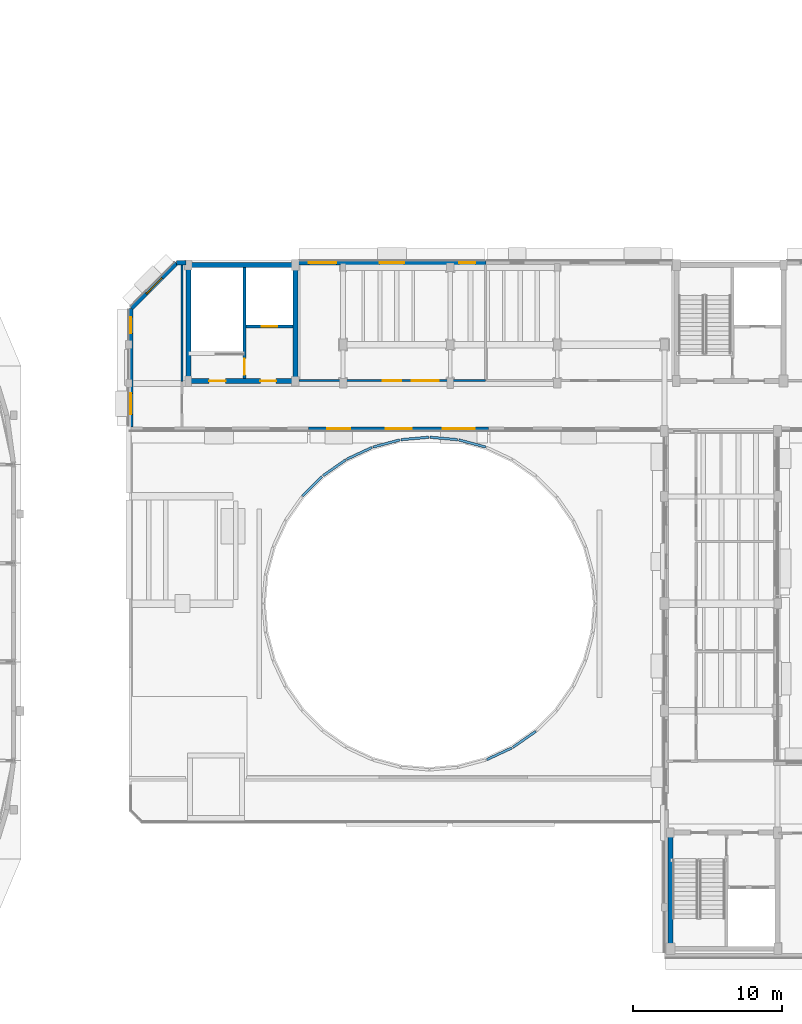
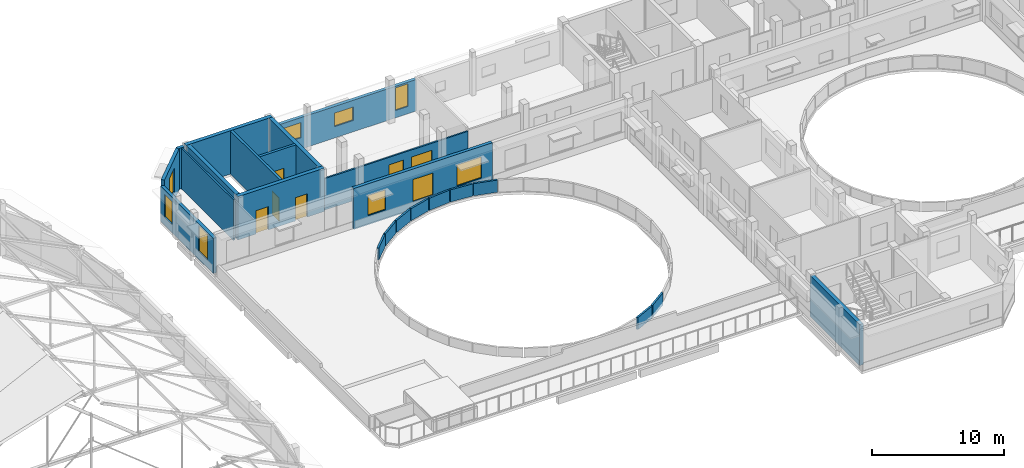
# One storey, part 60 of 78: 23 walls, 10 windows, 5 doors, 15 openings.
"""IFC4 building model written with IfcOpenShell, lengths in metres."""

import ifcopenshell
import ifcopenshell.guid

model = None  # the IFC model being written
_history = None  # IfcOwnerHistory: only IFC2X3 demands one
_inside = {}  # id of a spatial element -> (the spatial element, [elements in it])
_under = {}  # id of a project, library or spatial element -> (it, [spatial elements below it])
_declared = {}  # id of a project -> (the project, [libraries it declares])
_typed = {}  # id of a type object -> (the type object, [elements of that type])
_made_of = {}  # id of a material, layer set ... -> (it, [elements and type objects made of it])


def new_model(schema):
    """Start an empty IFC model of exactly this schema.

    Asked for "IFC4X3", IfcOpenShell would pick the latest addendum, in which some entities
    have other attributes; the version numbers below select the first issue.
    IFC2X3 requires an IfcOwnerHistory on every rooted entity: one is made here for all.
    """
    global model, _history
    if schema == "IFC4X3":
        model = ifcopenshell.file(schema_version=(4, 3, 0, 0))
    else:
        model = ifcopenshell.file(schema=schema)
    _inside.clear()
    _under.clear()
    _declared.clear()
    _typed.clear()
    _made_of.clear()
    _history = None
    if model.schema == "IFC2X3":
        org = make("IfcOrganization", Name="unknown")
        user = make(
            "IfcPersonAndOrganization",
            ThePerson=make("IfcPerson", FamilyName="unknown"),
            TheOrganization=org,
        )
        app = make(
            "IfcApplication",
            ApplicationDeveloper=org,
            Version="unknown",
            ApplicationFullName="unknown",
            ApplicationIdentifier="unknown",
        )
        _history = make(
            "IfcOwnerHistory",
            OwningUser=user,
            OwningApplication=app,
            ChangeAction="ADDED",
            CreationDate=0,
        )
    return model


def make(cls, **values):
    """One entity of the class cls with the attributes given. An attribute that is None is left unset."""
    return model.create_entity(
        cls, **{name: value for name, value in values.items() if value is not None}
    )


def rooted(cls, **values):
    """An entity with a GlobalId (a new one), such as an element, a storey or a relation."""
    return make(cls, GlobalId=ifcopenshell.guid.new(), OwnerHistory=_history, **values)


def si_unit(unit_type, name, prefix=None):
    """IfcSIUnit, for example si_unit("LENGTHUNIT", "METRE", prefix="MILLI")."""
    return make("IfcSIUnit", UnitType=unit_type, Prefix=prefix, Name=name)


def assignment(units):
    """IfcUnitAssignment: the units of a project."""
    return None if units is None else make("IfcUnitAssignment", Units=units)


def point(xyz):
    """IfcCartesianPoint."""
    return None if xyz is None else make("IfcCartesianPoint", Coordinates=xyz)


def direction(xyz):
    """IfcDirection."""
    return None if xyz is None else make("IfcDirection", DirectionRatios=xyz)


def frame(location, z_axis=None, x_axis=None):
    """IfcAxis2Placement3D, a coordinate frame: its origin and axes. An axis left out is left unset."""
    return make(
        "IfcAxis2Placement3D",
        Location=point(location),
        Axis=direction(z_axis),
        RefDirection=direction(x_axis),
    )


def frame_2d(location, x_axis=None):
    """IfcAxis2Placement2D, a coordinate frame in the plane: its origin and x axis."""
    return make(
        "IfcAxis2Placement2D", Location=point(location), RefDirection=direction(x_axis)
    )


def origin():
    """The frame at (0, 0, 0) with its axes left unset."""
    return frame((0.0, 0.0, 0.0))


def place(relative_to, where):
    """IfcLocalPlacement: puts the frame where relative to a parent placement (None: the world)."""
    return make(
        "IfcLocalPlacement", PlacementRelTo=relative_to, RelativePlacement=where
    )


def context(
    kind, dimensions, precision=None, world=None, true_north=None, identifier=None
):
    """IfcGeometricRepresentationContext, for example the 3D "Model" context."""
    return make(
        "IfcGeometricRepresentationContext",
        ContextIdentifier=identifier,
        ContextType=kind,
        CoordinateSpaceDimension=dimensions,
        Precision=precision,
        WorldCoordinateSystem=world,
        TrueNorth=true_north,
    )


def subcontext(parent, identifier, kind, view, scale=None):
    """IfcGeometricRepresentationSubContext, for example "Body" below "Model"."""
    return make(
        "IfcGeometricRepresentationSubContext",
        ContextIdentifier=identifier,
        ContextType=kind,
        ParentContext=parent,
        TargetScale=scale,
        TargetView=view,
    )


def project(units=None, contexts=None):
    """IfcProject with its units and contexts."""
    return rooted(
        "IfcProject",
        Name="project",
        RepresentationContexts=contexts,
        UnitsInContext=assignment(units),
    )


def spatial(cls, under=None, at=None, **own):
    """A site, building, storey or space (cls), placed at a placement, below another one or the project."""
    s = rooted(cls, ObjectPlacement=at, **own)
    if under is not None:
        _under.setdefault(under.id(), (under, []))[1].append(s)
    return s


def profile(cls, at=None, kind="AREA", **sizes):
    """A parametric profile (cls). Its sizes go by their IFC names, for example OverallWidth=200.0."""
    return make(cls, ProfileType=kind, Position=at, **sizes)


def rectangle(**sizes):
    """IfcRectangleProfileDef."""
    return profile("IfcRectangleProfileDef", **sizes)


def extrude(swept, where, along, depth):
    """IfcExtrudedAreaSolid: the profile swept, set in the frame where, extruded along a direction by depth."""
    return make(
        "IfcExtrudedAreaSolid",
        SweptArea=swept,
        Position=where,
        ExtrudedDirection=direction(along),
        Depth=depth,
    )


def shape(context_of_items, identifier, shape_type, items):
    """IfcShapeRepresentation: the items that make up one representation, for example the "Body"."""
    return make(
        "IfcShapeRepresentation",
        ContextOfItems=context_of_items,
        RepresentationIdentifier=identifier,
        RepresentationType=shape_type,
        Items=items,
    )


def material(Name=None, Category=None):
    """IfcMaterial."""
    return make("IfcMaterial", Name=Name, Category=Category)


def layer(
    of_material, thickness, ventilated=None, Name=None, Category=None, Priority=None
):
    """IfcMaterialLayer: one layer of a wall or slab, of a material (None: an air gap)."""
    return make(
        "IfcMaterialLayer",
        Material=of_material,
        LayerThickness=thickness,
        IsVentilated=ventilated,
        Name=Name,
        Category=Category,
        Priority=Priority,
    )


def layer_set(layers, Name=None):
    """IfcMaterialLayerSet."""
    return make("IfcMaterialLayerSet", MaterialLayers=layers, LayerSetName=Name)


def made_of(thing, what):
    """Note that an element or type object is made of a material, layer set ...; save() writes the relation."""
    if what is not None:
        _made_of.setdefault(what.id(), (what, []))[1].append(thing)
    return thing


def type_object(cls, material=None, **own):
    """A type object (cls), such as IfcWallType, which elements share."""
    return made_of(rooted(cls, **own), material)


def element(
    cls,
    number,
    at=None,
    inside=None,
    cuts=None,
    type_object=None,
    material=None,
    context=None,
    identifier="Body",
    shape_type=None,
    held_by="IfcProductDefinitionShape",
    body=None,
    shapes=None,
    **own,
):
    """One element of the class cls, such as IfcWall. Its Tag is "e" and its number.

    at: its placement. inside: the storey or other place that contains it. cuts: it is an
    opening in that element (IfcRelVoidsElement). A single representation is given by context,
    identifier, shape_type and body (its items); several are given by shapes. held_by: the class
    of the entity that holds the representations. save() writes the other relations.
    """
    e = rooted(cls, Tag="e%d" % number, ObjectPlacement=at, **own)
    if body is not None:
        shapes = [shape(context, identifier, shape_type, body)]
    if shapes is not None:
        e.Representation = make(held_by, Representations=shapes)
    if inside is not None:
        _inside.setdefault(inside.id(), (inside, []))[1].append(e)
    if cuts is not None:
        rooted(
            "IfcRelVoidsElement", RelatingBuildingElement=cuts, RelatedOpeningElement=e
        )
    if type_object is not None:
        _typed.setdefault(type_object.id(), (type_object, []))[1].append(e)
    return made_of(e, material)


def fill(opening, filler):
    """IfcRelFillsElement: the door or window that sits in an opening."""
    return rooted(
        "IfcRelFillsElement",
        RelatingOpeningElement=opening,
        RelatedBuildingElement=filler,
    )


def aggregate(whole, parts):
    """IfcRelAggregates: a whole, such as a stair, and the parts it consists of."""
    return rooted("IfcRelAggregates", RelatingObject=whole, RelatedObjects=parts)


def save(model, path):
    """Write the relations noted so far, then the file.

    IfcRelAggregates (storeys below a building ...), IfcRelContainedInSpatialStructure (elements
    in a storey), IfcRelDefinesByType, IfcRelAssociatesMaterial and IfcRelDeclares: one each for
    every whole, place, type object, material and project.
    """
    for whole, parts in _under.values():
        aggregate(whole, parts)
    for where, things in _inside.values():
        rooted(
            "IfcRelContainedInSpatialStructure",
            RelatedElements=things,
            RelatingStructure=where,
        )
    for kind, things in _typed.values():
        rooted("IfcRelDefinesByType", RelatedObjects=things, RelatingType=kind)
    for what, things in _made_of.values():
        rooted("IfcRelAssociatesMaterial", RelatedObjects=things, RelatingMaterial=what)
    for by, libraries in _declared.values():
        rooted("IfcRelDeclares", RelatingContext=by, RelatedDefinitions=libraries)
    model.write(path)


model = new_model("IFC4")

# Units and contexts
model_context = context("Model", 3, precision=1e-05, world=origin(), true_north=direction((0.0, 1.0)))
body_context = subcontext(model_context, "Body", "Model", "MODEL_VIEW")
ifc_project = project(units=[si_unit("LENGTHUNIT", "METRE"), si_unit("AREAUNIT", "SQUARE_METRE"), si_unit("VOLUMEUNIT", "CUBIC_METRE"), si_unit("PLANEANGLEUNIT", "RADIAN"), si_unit("MASSUNIT", "GRAM", prefix="KILO")], contexts=[model_context])

# Site, building, storey
site_placement = place(None, origin())
site = spatial("IfcSite", under=ifc_project, at=site_placement, CompositionType="ELEMENT")
building_placement = place(site_placement, origin())
building = spatial("IfcBuilding", under=site, at=building_placement, Name="Kelanivale Promenade Academy", CompositionType="ELEMENT")
storey_placement = place(building_placement, frame((0.0, 0.0, 16.199951171875)))
storey = spatial("IfcBuildingStorey", under=building, at=storey_placement, Name="L04", CompositionType="ELEMENT", Elevation=16.199951171875)

# Wall
ifc_material_1 = material(Name="Concrete C40/50", Category="concrete")
ifc_layer_1 = layer(ifc_material_1, 0.330078125)
ifc_layer_set_1 = layer_set([ifc_layer_1], Name="Concrete C40/50")
wall_type_1 = type_object("IfcWallType", Name="CW-S1 Wall 330mm", PredefinedType="SHEAR", material=ifc_layer_set_1)
wall_1_placement = place(storey_placement, frame((79.60009765625, 33.764892578125, 0.0), z_axis=(0.0, 0.0, 1.0), x_axis=(0.0, 1.0, 0.0)))
element("IfcWall", 1, at=wall_1_placement, inside=storey, type_object=wall_type_1, Name="CORE-1 RC shear wall W L04", PredefinedType="SHEAR", context=body_context, shape_type="SweptSolid", body=[
    extrude(rectangle(XDim=7.47021484375, YDim=0.330078125, at=frame_2d((3.735107421875, 0.0))), origin(), (0.0, 0.0, 1.0), 3.780029296875),
])

# Wall, openings, doors
wall_2_placement = place(storey_placement, frame((47.034912109375, 71.75, 0.0), z_axis=(0.0, 0.0, 1.0), x_axis=(1.0, 0.0, 0.0)))
wall_2 = element("IfcWall", 2, at=wall_2_placement, inside=storey, type_object=wall_type_1, Name="CORE-4 RC shear wall S L04", PredefinedType="SHEAR", context=body_context, shape_type="SweptSolid", body=[
    extrude(rectangle(XDim=7.530029296875, YDim=0.330078125, at=frame_2d((3.76513671875, 0.0))), origin(), (0.0, 0.0, 1.0), 4.0),
])
opening_1_placement = place(wall_2_placement, frame((5.014892578125, 0.0, 0.0)))
opening_1 = element("IfcOpeningElement", 3, at=opening_1_placement, cuts=wall_2, Name="Opening FD-CORE-4-LB-L04", PredefinedType="OPENING", context=body_context, shape_type="SweptSolid", body=[
    extrude(rectangle(XDim=1.050048828125, YDim=2.14990234375, at=frame_2d((0.52490234375, 1.074951171875))), frame((0.0, 0.175048828125, 0.0), z_axis=(0.0, -1.0, 0.0), x_axis=(1.0, 0.0, 0.0)), (0.0, 0.0, 1.0), 0.35009765625),
])
opening_2_placement = place(wall_2_placement, frame((1.56494140625, 0.0, 0.0)))
opening_2 = element("IfcOpeningElement", 4, at=opening_2_placement, cuts=wall_2, Name="Opening FD-CORE-4-ST-L04", PredefinedType="OPENING", context=body_context, shape_type="SweptSolid", body=[
    extrude(rectangle(XDim=1.10009765625, YDim=2.14990234375, at=frame_2d((0.550048828125, 1.074951171875))), frame((0.0, 0.175048828125, 0.0), z_axis=(0.0, -1.0, 0.0), x_axis=(1.0, 0.0, 0.0)), (0.0, 0.0, 1.0), 0.35009765625),
])
ifc_material_2 = material(Name="Fire-rated steel-core teak veneer", Category="steel")
door_type_1 = type_object("IfcDoorType", Name="DT-F01 Door 1100x2150", OperationType="NOTDEFINED", PredefinedType="DOOR", material=ifc_material_2)
door_1_placement = place(opening_2_placement, frame((1.10009765625, 0.0, 0.0), z_axis=(0.0, 0.0, 1.0), x_axis=(-1.0, 0.0, 0.0)))
door_1 = element("IfcDoor", 5, at=door_1_placement, inside=storey, type_object=door_type_1, Name="CORE-4 protected stair fire door L04", OperationType="SINGLE_SWING_LEFT", OverallHeight=2.14990234375, OverallWidth=1.10009765625, PredefinedType="DOOR", context=body_context, shape_type="SweptSolid", body=[
    extrude(rectangle(XDim=1.10009765625, YDim=2.14990234375, at=frame_2d((0.550048828125, 1.074951171875))), frame((0.0, 0.02490234375, 0.0), z_axis=(0.0, -1.0, 0.0), x_axis=(1.0, 0.0, 0.0)), (0.0, 0.0, 1.0), 0.050048828125),
])
fill(opening_2, door_1)
door_type_2 = type_object("IfcDoorType", Name="DT-F03 Door 1050x2150", OperationType="NOTDEFINED", PredefinedType="DOOR", material=ifc_material_2)
door_2_placement = place(opening_1_placement, origin())
door_2 = element("IfcDoor", 6, at=door_2_placement, inside=storey, type_object=door_type_2, Name="CORE-4 corridor-to-lobby fire door L04", OperationType="SINGLE_SWING_RIGHT", OverallHeight=2.14990234375, OverallWidth=1.050048828125, PredefinedType="DOOR", context=body_context, shape_type="SweptSolid", body=[
    extrude(rectangle(XDim=1.050048828125, YDim=2.14990234375, at=frame_2d((0.52490234375, 1.074951171875))), frame((0.0, 0.02490234375, 0.0), z_axis=(0.0, -1.0, 0.0), x_axis=(1.0, 0.0, 0.0)), (0.0, 0.0, 1.0), 0.050048828125),
])
fill(opening_1, door_2)

# Walls
wall_3_placement = place(storey_placement, frame((47.034912109375, 79.550048828125, 0.0), z_axis=(0.0, 0.0, 1.0), x_axis=(1.0, 0.0, 0.0)))
element("IfcWall", 7, at=wall_3_placement, inside=storey, type_object=wall_type_1, Name="CORE-4 RC shear wall N L04", PredefinedType="SHEAR", context=body_context, shape_type="SweptSolid", body=[
    extrude(rectangle(XDim=7.530029296875, YDim=0.330078125, at=frame_2d((3.76513671875, 0.0))), origin(), (0.0, 0.0, 1.0), 4.0),
])
for number, where, z_axis, x_axis, name in (
    (8, (47.199951171875, 71.9150390625, 0.0), (0.0, 0.0, 1.0), (0.0, 1.0, 0.0), "CORE-4 RC shear wall W L04"),
    (9, (54.39990234375, 71.9150390625, 0.0), (0.0, 0.0, 1.0), (0.0, 1.0, 0.0), "CORE-4 RC shear wall E L04"),
):
    element("IfcWall", number, at=place(storey_placement, frame(where, z_axis=z_axis, x_axis=x_axis)), inside=storey, type_object=wall_type_1, Name=name, PredefinedType="SHEAR", context=body_context, shape_type="SweptSolid", body=[
        extrude(rectangle(XDim=7.469970703125, YDim=0.330078125, at=frame_2d((3.73486328125, 0.0))), origin(), (0.0, 0.0, 1.0), 4.0),
    ])

# Wall, opening, door
ifc_layer_2 = layer(ifc_material_1, 0.22509765625)
ifc_layer_set_2 = layer_set([ifc_layer_2], Name="Concrete C40/50")
wall_type_2 = type_object("IfcWallType", Name="CW-S2 Wall 225mm", PredefinedType="SHEAR", material=ifc_layer_set_2)
wall_4_placement = place(storey_placement, frame((51.0849609375, 75.419921875, 0.0), z_axis=(0.0, 0.0, 1.0), x_axis=(1.0, 0.0, 0.0)))
wall_4 = element("IfcWall", 10, at=wall_4_placement, inside=storey, type_object=wall_type_2, Name="CORE-4 lift shaft front RC wall L04", PredefinedType="SHEAR", context=body_context, shape_type="SweptSolid", body=[
    extrude(rectangle(XDim=3.150146484375, YDim=0.22509765625, at=frame_2d((1.5751953125, 0.0))), origin(), (0.0, 0.0, 1.0), 4.0),
])
opening_3_placement = place(wall_4_placement, frame((1.050048828125, 0.0, 0.0)))
opening_3 = element("IfcOpeningElement", 11, at=opening_3_placement, cuts=wall_4, Name="Opening LD-LF-P2-L04", PredefinedType="OPENING", context=body_context, shape_type="SweptSolid", body=[
    extrude(rectangle(XDim=1.050048828125, YDim=2.199951171875, at=frame_2d((0.52490234375, 1.10009765625))), frame((0.0, 0.12255859375, 0.0), z_axis=(0.0, -1.0, 0.0), x_axis=(1.0, 0.0, 0.0)), (0.0, 0.0, 1.0), 0.2451171875),
])
door_type_3 = type_object("IfcDoorType", Name="LD-PL1 Door 1050x2200", OperationType="NOTDEFINED", PredefinedType="DOOR", material=ifc_material_2)
door_3_placement = place(opening_3_placement, origin())
door_3 = element("IfcDoor", 12, at=door_3_placement, inside=storey, type_object=door_type_3, Name="Passenger lift landing door LD-LF-P2-L04", OperationType="SLIDING_TO_LEFT", OverallHeight=2.199951171875, OverallWidth=1.050048828125, PredefinedType="DOOR", context=body_context, shape_type="SweptSolid", body=[
    extrude(rectangle(XDim=1.050048828125, YDim=2.199951171875, at=frame_2d((0.52490234375, 1.10009765625))), frame((0.0, 0.02490234375, 0.0), z_axis=(0.0, -1.0, 0.0), x_axis=(1.0, 0.0, 0.0)), (0.0, 0.0, 1.0), 0.050048828125),
])
fill(opening_3, door_3)

ifc_layer_3 = layer(ifc_material_1, 0.219970703125)
ifc_layer_set_3 = layer_set([ifc_layer_3], Name="Concrete C40/50")
wall_type_3 = type_object("IfcWallType", Name="CW-S3 Wall 220mm", PredefinedType="SHEAR", material=ifc_layer_set_3)
wall_5_placement = place(storey_placement, frame((50.97509765625, 71.9150390625, 0.0), z_axis=(0.0, 0.0, 1.0), x_axis=(0.0, 1.0, 0.0)))
wall_5 = element("IfcWall", 13, at=wall_5_placement, inside=storey, type_object=wall_type_3, Name="CORE-4 stair-lobby dividing RC wall L04", PredefinedType="SHEAR", context=body_context, shape_type="SweptSolid", body=[
    extrude(rectangle(XDim=7.469970703125, YDim=0.219970703125, at=frame_2d((3.73486328125, 0.0))), origin(), (0.0, 0.0, 1.0), 4.0),
])
opening_4_placement = place(wall_5_placement, frame((0.25, 0.0, 0.0)))
opening_4 = element("IfcOpeningElement", 14, at=opening_4_placement, cuts=wall_5, Name="Opening FD-CORE-4-SL-L04", PredefinedType="OPENING", context=body_context, shape_type="SweptSolid", body=[
    extrude(rectangle(XDim=1.10009765625, YDim=2.14990234375, at=frame_2d((0.550048828125, 1.074951171875))), frame((0.0, 0.1201171875, 0.0), z_axis=(0.0, -1.0, 0.0), x_axis=(1.0, 0.0, 0.0)), (0.0, 0.0, 1.0), 0.239990234375),
])
door_4_placement = place(opening_4_placement, origin())
door_4 = element("IfcDoor", 15, at=door_4_placement, inside=storey, type_object=door_type_1, Name="CORE-4 lobby-to-stair fire door L04", OperationType="SINGLE_SWING_LEFT", OverallHeight=2.14990234375, OverallWidth=1.10009765625, PredefinedType="DOOR", context=body_context, shape_type="SweptSolid", body=[
    extrude(rectangle(XDim=1.10009765625, YDim=2.14990234375, at=frame_2d((0.550048828125, 1.074951171875))), frame((0.0, 0.02490234375, 0.0), z_axis=(0.0, -1.0, 0.0), x_axis=(1.0, 0.0, 0.0)), (0.0, 0.0, 1.0), 0.050048828125),
])
fill(opening_4, door_4)

# Wall, openings, windows
ifc_material_3 = material(Name="Insulated ivory stucco masonry wall 280 mm", Category="masonry")
ifc_layer_4 = layer(ifc_material_3, 0.280029296875)
ifc_layer_set_4 = layer_set([ifc_layer_4], Name="Insulated ivory stucco masonry wall 280 mm")
wall_type_4 = type_object("IfcWallType", Name="EW-02 Wall 280mm", PredefinedType="SOLIDWALL", material=ifc_layer_set_4)
wall_6_placement = place(storey_placement, frame((67.199951171875, 79.7099609375, 0.0), z_axis=(0.0, 0.0, 1.0), x_axis=(-1.0, 0.0, 0.0)))
wall_6 = element("IfcWall", 16, at=wall_6_placement, inside=storey, type_object=wall_type_4, Name="L04 exterior facade wall EW-L04-ORT-0545", PredefinedType="SOLIDWALL", context=body_context, shape_type="SweptSolid", body=[
    extrude(rectangle(XDim=12.635009765625, YDim=0.280029296875, at=frame_2d((6.3173828125, 0.0))), origin(), (0.0, 0.0, 1.0), 2.91015625),
])
opening_5_placement = place(wall_6_placement, frame((0.7060546875, 0.0, 0.669921875)))
opening_5 = element("IfcOpeningElement", 17, at=opening_5_placement, cuts=wall_6, Name="Opening WT-17", PredefinedType="OPENING", context=body_context, shape_type="SweptSolid", body=[
    extrude(rectangle(XDim=1.10009765625, YDim=2.10009765625, at=frame_2d((0.550048828125, 1.050048828125))), frame((0.0, 0.14990234375, 0.0), z_axis=(0.0, -1.0, 0.0), x_axis=(1.0, 0.0, 0.0)), (0.0, 0.0, 1.0), 0.300048828125),
])
opening_6_placement = place(wall_6_placement, frame((5.492919921875, 0.0, 1.050048828125)))
opening_6 = element("IfcOpeningElement", 18, at=opening_6_placement, cuts=wall_6, Name="Opening WT-35", PredefinedType="OPENING", context=body_context, shape_type="SweptSolid", body=[
    extrude(rectangle(XDim=1.64990234375, YDim=1.25, at=frame_2d((0.824951171875, 0.625))), frame((0.0, 0.14990234375, 0.0), z_axis=(0.0, -1.0, 0.0), x_axis=(1.0, 0.0, 0.0)), (0.0, 0.0, 1.0), 0.300048828125),
])
opening_7_placement = place(wall_6_placement, frame((10.053955078125, 0.0, 1.050048828125)))
opening_7 = element("IfcOpeningElement", 19, at=opening_7_placement, cuts=wall_6, Name="Opening WT-36", PredefinedType="OPENING", context=body_context, shape_type="SweptSolid", body=[
    extrude(rectangle(XDim=1.85009765625, YDim=1.39990234375, at=frame_2d((0.925048828125, 0.699951171875))), frame((0.0, 0.14990234375, 0.0), z_axis=(0.0, -1.0, 0.0), x_axis=(1.0, 0.0, 0.0)), (0.0, 0.0, 1.0), 0.300048828125),
])
ifc_material_4 = material(Name="Bronze anodised aluminium frame with low-E laminated glass", Category="aluminium")
window_type_1 = type_object("IfcWindowType", Name="WT-17 Window 1100x2100", PartitioningType="SINGLE_PANEL", PredefinedType="WINDOW", material=ifc_material_4)
window_1_placement = place(opening_5_placement, origin())
window_1 = element("IfcWindow", 20, at=window_1_placement, inside=storey, type_object=window_type_1, Name="Window WT-17", OverallHeight=2.10009765625, OverallWidth=1.10009765625, PartitioningType="SINGLE_PANEL", PredefinedType="WINDOW", context=body_context, shape_type="SweptSolid", body=[
    extrude(rectangle(XDim=1.10009765625, YDim=2.10009765625, at=frame_2d((0.550048828125, 1.050048828125))), frame((0.0, 0.030029296875, 0.0), z_axis=(0.0, -1.0, 0.0), x_axis=(1.0, 0.0, 0.0)), (0.0, 0.0, 1.0), 0.06005859375),
])
fill(opening_5, window_1)
window_type_2 = type_object("IfcWindowType", Name="WT-35 Window 1650x1250", PartitioningType="SINGLE_PANEL", PredefinedType="WINDOW", material=ifc_material_4)
window_2_placement = place(opening_6_placement, origin())
window_2 = element("IfcWindow", 21, at=window_2_placement, inside=storey, type_object=window_type_2, Name="Window WT-35", OverallHeight=1.25, OverallWidth=1.64990234375, PartitioningType="SINGLE_PANEL", PredefinedType="WINDOW", context=body_context, shape_type="SweptSolid", body=[
    extrude(rectangle(XDim=1.64990234375, YDim=1.25, at=frame_2d((0.824951171875, 0.625))), frame((0.0, 0.030029296875, 0.0), z_axis=(0.0, -1.0, 0.0), x_axis=(1.0, 0.0, 0.0)), (0.0, 0.0, 1.0), 0.06005859375),
])
fill(opening_6, window_2)
window_type_3 = type_object("IfcWindowType", Name="WT-36 Window 1850x1400", PartitioningType="SINGLE_PANEL", PredefinedType="WINDOW", material=ifc_material_4)
window_3_placement = place(opening_7_placement, origin())
window_3 = element("IfcWindow", 22, at=window_3_placement, inside=storey, type_object=window_type_3, Name="Window WT-36", OverallHeight=1.39990234375, OverallWidth=1.85009765625, PartitioningType="SINGLE_PANEL", PredefinedType="WINDOW", context=body_context, shape_type="SweptSolid", body=[
    extrude(rectangle(XDim=1.85009765625, YDim=1.39990234375, at=frame_2d((0.925048828125, 0.699951171875))), frame((0.0, 0.030029296875, 0.0), z_axis=(0.0, -1.0, 0.0), x_axis=(1.0, 0.0, 0.0)), (0.0, 0.0, 1.0), 0.06005859375),
])
fill(opening_7, window_3)

# Wall
wall_7_placement = place(storey_placement, frame((47.034912109375, 79.7099609375, 0.0), z_axis=(0.0, 0.0, 1.0), x_axis=(-1.0, 0.0, 0.0)))
element("IfcWall", 23, at=wall_7_placement, inside=storey, type_object=wall_type_4, Name="L04 exterior facade wall EW-L04-ORT-0546", PredefinedType="SOLIDWALL", context=body_context, shape_type="SweptSolid", body=[
    extrude(rectangle(XDim=0.626953125, YDim=0.280029296875, at=frame_2d((0.3134765625, 0.0))), origin(), (0.0, 0.0, 1.0), 3.780029296875),
])

# Wall, opening, window
wall_8_placement = place(storey_placement, frame((46.419921875, 79.666015625, 0.0), z_axis=(0.0, 0.0, 1.0), x_axis=(-0.70707834964, -0.70713521159, 0.0)))
wall_8 = element("IfcWall", 24, at=wall_8_placement, inside=storey, type_object=wall_type_4, Name="L04 exterior facade wall EW-L04-ORT-0547", PredefinedType="SOLIDWALL", context=body_context, shape_type="SweptSolid", body=[
    extrude(rectangle(XDim=4.29345703125, YDim=0.280029296875, at=frame_2d((2.146728515625, 0.0))), origin(), (0.0, 0.0, 1.0), 3.780029296875),
])
opening_8_placement = place(wall_8_placement, frame((1.39697265625, 0.0, 0.75)))
opening_8 = element("IfcOpeningElement", 25, at=opening_8_placement, cuts=wall_8, Name="Opening WT-11", PredefinedType="OPENING", context=body_context, shape_type="SweptSolid", body=[
    extrude(rectangle(XDim=1.5, YDim=2.199951171875, at=frame_2d((0.75, 1.10009765625))), frame((0.0, 0.14990234375, 0.0), z_axis=(0.0, -1.0, 0.0), x_axis=(1.0, 0.0, 0.0)), (0.0, 0.0, 1.0), 0.300048828125),
])
window_type_4 = type_object("IfcWindowType", Name="WT-11 Window 1500x2200", PartitioningType="SINGLE_PANEL", PredefinedType="WINDOW", material=ifc_material_4)
window_4_placement = place(opening_8_placement, origin())
window_4 = element("IfcWindow", 26, at=window_4_placement, inside=storey, type_object=window_type_4, Name="Window WT-11", OverallHeight=2.199951171875, OverallWidth=1.5, PartitioningType="SINGLE_PANEL", PredefinedType="WINDOW", context=body_context, shape_type="SweptSolid", body=[
    extrude(rectangle(XDim=1.5, YDim=2.199951171875, at=frame_2d((0.75, 1.10009765625))), frame((0.0, 0.030029296875, 0.0), z_axis=(0.0, -1.0, 0.0), x_axis=(1.0, 0.0, 0.0)), (0.0, 0.0, 1.0), 0.06005859375),
])
fill(opening_8, window_4)

# Wall, openings, windows
wall_9_placement = place(storey_placement, frame((43.340087890625, 76.64208984375, 0.0), z_axis=(0.0, 0.0, 1.0), x_axis=(0.0, -1.0, 0.0)))
wall_9 = element("IfcWall", 27, at=wall_9_placement, inside=storey, type_object=wall_type_4, Name="L04 exterior facade wall EW-L04-ORT-0548", PredefinedType="SOLIDWALL", context=body_context, shape_type="SweptSolid", body=[
    extrude(rectangle(XDim=7.962158203125, YDim=0.280029296875, at=frame_2d((3.98095703125, 0.0))), origin(), (0.0, 0.0, 1.0), 3.255126953125),
])
opening_9_placement = place(wall_9_placement, frame((0.590087890625, 0.0, 0.75)))
opening_9 = element("IfcOpeningElement", 28, at=opening_9_placement, cuts=wall_9, Name="Opening WT-17", PredefinedType="OPENING", context=body_context, shape_type="SweptSolid", body=[
    extrude(rectangle(XDim=1.10009765625, YDim=2.10009765625, at=frame_2d((0.550048828125, 1.050048828125))), frame((0.0, 0.14990234375, 0.0), z_axis=(0.0, -1.0, 0.0), x_axis=(1.0, 0.0, 0.0)), (0.0, 0.0, 1.0), 0.300048828125),
])
opening_10_placement = place(wall_9_placement, frame((5.720947265625, 0.0, 0.715087890625)))
opening_10 = element("IfcOpeningElement", 29, at=opening_10_placement, cuts=wall_9, Name="Opening WT-13", PredefinedType="OPENING", context=body_context, shape_type="SweptSolid", body=[
    extrude(rectangle(XDim=1.39990234375, YDim=2.39990234375, at=frame_2d((0.699951171875, 1.199951171875))), frame((0.0, 0.14990234375, 0.0), z_axis=(0.0, -1.0, 0.0), x_axis=(1.0, 0.0, 0.0)), (0.0, 0.0, 1.0), 0.300048828125),
])
window_type_5 = type_object("IfcWindowType", Name="WT-13 Window 1400x2400", PartitioningType="SINGLE_PANEL", PredefinedType="WINDOW", material=ifc_material_4)
window_5_placement = place(opening_10_placement, origin())
window_5 = element("IfcWindow", 30, at=window_5_placement, inside=storey, type_object=window_type_5, Name="Window WT-13", OverallHeight=2.39990234375, OverallWidth=1.39990234375, PartitioningType="SINGLE_PANEL", PredefinedType="WINDOW", context=body_context, shape_type="SweptSolid", body=[
    extrude(rectangle(XDim=1.39990234375, YDim=2.39990234375, at=frame_2d((0.699951171875, 1.199951171875))), frame((0.0, 0.030029296875, 0.0), z_axis=(0.0, -1.0, 0.0), x_axis=(1.0, 0.0, 0.0)), (0.0, 0.0, 1.0), 0.06005859375),
])
fill(opening_10, window_5)
window_6_placement = place(opening_9_placement, origin())
window_6 = element("IfcWindow", 31, at=window_6_placement, inside=storey, type_object=window_type_1, Name="Window WT-17", OverallHeight=2.10009765625, OverallWidth=1.10009765625, PartitioningType="SINGLE_PANEL", PredefinedType="WINDOW", context=body_context, shape_type="SweptSolid", body=[
    extrude(rectangle(XDim=1.10009765625, YDim=2.10009765625, at=frame_2d((0.550048828125, 1.050048828125))), frame((0.0, 0.030029296875, 0.0), z_axis=(0.0, -1.0, 0.0), x_axis=(1.0, 0.0, 0.0)), (0.0, 0.0, 1.0), 0.06005859375),
])
fill(opening_9, window_6)

wall_10_placement = place(storey_placement, frame((55.29296875, 68.5400390625, 0.0), z_axis=(0.0, 0.0, 1.0), x_axis=(1.0, 0.0, 0.0)))
wall_10 = element("IfcWall", 32, at=wall_10_placement, inside=storey, type_object=wall_type_4, Name="L04 exterior facade wall EW-L04-ORT-0550", PredefinedType="SOLIDWALL", context=body_context, shape_type="SweptSolid", body=[
    extrude(rectangle(XDim=12.093994140625, YDim=0.280029296875, at=frame_2d((6.046875, 0.0))), origin(), (0.0, 0.0, 1.0), 3.780029296875),
])
opening_11_placement = place(wall_10_placement, frame((1.240966796875, 0.0, 0.85009765625)))
opening_11 = element("IfcOpeningElement", 33, at=opening_11_placement, cuts=wall_10, Name="Opening WT-31", PredefinedType="OPENING", context=body_context, shape_type="SweptSolid", body=[
    extrude(rectangle(XDim=1.550048828125, YDim=1.85009765625, at=frame_2d((0.77490234375, 0.925048828125))), frame((0.0, 0.14990234375, 0.0), z_axis=(0.0, -1.0, 0.0), x_axis=(1.0, 0.0, 0.0)), (0.0, 0.0, 1.0), 0.300048828125),
])
opening_12_placement = place(wall_10_placement, frame((5.172119140625, 0.0, 0.75)))
opening_12 = element("IfcOpeningElement", 34, at=opening_12_placement, cuts=wall_10, Name="Opening WT-32", PredefinedType="OPENING", context=body_context, shape_type="SweptSolid", body=[
    extrude(rectangle(XDim=1.75, YDim=2.050048828125, at=frame_2d((0.875, 1.02490234375))), frame((0.0, 0.14990234375, 0.0), z_axis=(0.0, -1.0, 0.0), x_axis=(1.0, 0.0, 0.0)), (0.0, 0.0, 1.0), 0.300048828125),
])
opening_13_placement = place(wall_10_placement, frame((9.0029296875, 0.0, 0.85009765625)))
opening_13 = element("IfcOpeningElement", 35, at=opening_13_placement, cuts=wall_10, Name="Opening WT-33", PredefinedType="OPENING", context=body_context, shape_type="SweptSolid", body=[
    extrude(rectangle(XDim=2.14990234375, YDim=1.949951171875, at=frame_2d((1.074951171875, 0.97509765625))), frame((0.0, 0.14990234375, 0.0), z_axis=(0.0, -1.0, 0.0), x_axis=(1.0, 0.0, 0.0)), (0.0, 0.0, 1.0), 0.300048828125),
])
window_type_6 = type_object("IfcWindowType", Name="WT-31 Window 1550x1850", PartitioningType="SINGLE_PANEL", PredefinedType="WINDOW", material=ifc_material_4)
window_7_placement = place(opening_11_placement, origin())
window_7 = element("IfcWindow", 36, at=window_7_placement, inside=storey, type_object=window_type_6, Name="Window WT-31", OverallHeight=1.85009765625, OverallWidth=1.550048828125, PartitioningType="SINGLE_PANEL", PredefinedType="WINDOW", context=body_context, shape_type="SweptSolid", body=[
    extrude(rectangle(XDim=1.550048828125, YDim=1.85009765625, at=frame_2d((0.77490234375, 0.925048828125))), frame((0.0, 0.030029296875, 0.0), z_axis=(0.0, -1.0, 0.0), x_axis=(1.0, 0.0, 0.0)), (0.0, 0.0, 1.0), 0.06005859375),
])
fill(opening_11, window_7)
window_type_7 = type_object("IfcWindowType", Name="WT-32 Window 1750x2050", PartitioningType="SINGLE_PANEL", PredefinedType="WINDOW", material=ifc_material_4)
window_8_placement = place(opening_12_placement, origin())
window_8 = element("IfcWindow", 37, at=window_8_placement, inside=storey, type_object=window_type_7, Name="Window WT-32", OverallHeight=2.050048828125, OverallWidth=1.75, PartitioningType="SINGLE_PANEL", PredefinedType="WINDOW", context=body_context, shape_type="SweptSolid", body=[
    extrude(rectangle(XDim=1.75, YDim=2.050048828125, at=frame_2d((0.875, 1.02490234375))), frame((0.0, 0.030029296875, 0.0), z_axis=(0.0, -1.0, 0.0), x_axis=(1.0, 0.0, 0.0)), (0.0, 0.0, 1.0), 0.06005859375),
])
fill(opening_12, window_8)
window_type_8 = type_object("IfcWindowType", Name="WT-33 Window 2150x1950", PartitioningType="SINGLE_PANEL", PredefinedType="WINDOW", material=ifc_material_4)
window_9_placement = place(opening_13_placement, origin())
window_9 = element("IfcWindow", 38, at=window_9_placement, inside=storey, type_object=window_type_8, Name="Window WT-33", OverallHeight=1.949951171875, OverallWidth=2.14990234375, PartitioningType="SINGLE_PANEL", PredefinedType="WINDOW", context=body_context, shape_type="SweptSolid", body=[
    extrude(rectangle(XDim=2.14990234375, YDim=1.949951171875, at=frame_2d((1.074951171875, 0.97509765625))), frame((0.0, 0.030029296875, 0.0), z_axis=(0.0, -1.0, 0.0), x_axis=(1.0, 0.0, 0.0)), (0.0, 0.0, 1.0), 0.06005859375),
])
fill(opening_13, window_9)

# Wall
ifc_material_5 = material(Name="Acoustic double-stud gypsum board partition 140 mm", Category="masonry")
ifc_layer_5 = layer(ifc_material_5, 0.139892578125)
ifc_layer_set_5 = layer_set([ifc_layer_5], Name="Acoustic double-stud gypsum board partition 140 mm")
wall_type_5 = type_object("IfcWallType", Name="IW-04 Wall 140mm", PredefinedType="PARTITIONING", material=ifc_layer_set_5)
wall_11_placement = place(storey_placement, frame((46.77001953125, 71.719970703125, 0.0), z_axis=(0.0, 0.0, 1.0), x_axis=(0.0, 1.0, 0.0)))
element("IfcWall", 39, at=wall_11_placement, inside=storey, type_object=wall_type_5, Name="L04 partition Pastoral Seminar Room", PredefinedType="PARTITIONING", context=body_context, shape_type="SweptSolid", body=[
    extrude(rectangle(XDim=7.85205078125, YDim=0.139892578125, at=frame_2d((3.926025390625, 0.0))), origin(), (0.0, 0.0, 1.0), 3.755126953125),
])

# Wall, openings, door, window
wall_12_placement = place(storey_placement, frame((54.6298828125, 71.780029296875, 0.0), z_axis=(0.0, 0.0, 1.0), x_axis=(1.0, 0.0, 0.0)))
wall_12 = element("IfcWall", 40, at=wall_12_placement, inside=storey, type_object=wall_type_5, Name="L04 partition Sixth Form Classroom West", PredefinedType="PARTITIONING", context=body_context, shape_type="SweptSolid", body=[
    extrude(rectangle(XDim=12.5400390625, YDim=0.139892578125, at=frame_2d((6.27001953125, 0.0))), origin(), (0.0, 0.0, 1.0), 2.905029296875),
])
opening_14_placement = place(wall_12_placement, frame((5.64501953125, 0.0, 0.0)))
opening_14 = element("IfcOpeningElement", 41, at=opening_14_placement, cuts=wall_12, Name="Opening ID-L04-183", PredefinedType="OPENING", context=body_context, shape_type="SweptSolid", body=[
    extrude(rectangle(XDim=1.25, YDim=2.219970703125, at=frame_2d((0.625, 1.10986328125))), frame((0.0, 0.080078125, 0.0), z_axis=(0.0, -1.0, 0.0), x_axis=(1.0, 0.0, 0.0)), (0.0, 0.0, 1.0), 0.159912109375),
])
opening_15_placement = place(wall_12_placement, frame((7.594970703125, 0.0, 1.050048828125)))
opening_15 = element("IfcOpeningElement", 42, at=opening_15_placement, cuts=wall_12, Name="Opening WT-I02", PredefinedType="OPENING", context=body_context, shape_type="SweptSolid", body=[
    extrude(rectangle(XDim=1.800048828125, YDim=1.199951171875, at=frame_2d((0.89990234375, 0.60009765625))), frame((0.0, 0.080078125, 0.0), z_axis=(0.0, -1.0, 0.0), x_axis=(1.0, 0.0, 0.0)), (0.0, 0.0, 1.0), 0.159912109375),
])
ifc_material_6 = material(Name="Solid-core tropical teak timber", Category="wood")
door_type_4 = type_object("IfcDoorType", Name="DT-I19 Door 1250x2220", OperationType="NOTDEFINED", PredefinedType="DOOR", material=ifc_material_6)
door_5_placement = place(opening_14_placement, origin())
door_5 = element("IfcDoor", 43, at=door_5_placement, inside=storey, type_object=door_type_4, Name="Sixth Form Classroom West door ID-L04-183", OperationType="SINGLE_SWING_LEFT", OverallHeight=2.219970703125, OverallWidth=1.25, PredefinedType="DOOR", context=body_context, shape_type="SweptSolid", body=[
    extrude(rectangle(XDim=1.25, YDim=2.219970703125, at=frame_2d((0.625, 1.10986328125))), frame((0.0, 0.02490234375, 0.0), z_axis=(0.0, -1.0, 0.0), x_axis=(1.0, 0.0, 0.0)), (0.0, 0.0, 1.0), 0.050048828125),
])
fill(opening_14, door_5)
window_type_9 = type_object("IfcWindowType", Name="WT-I02 Window 1800x1200", PartitioningType="SINGLE_PANEL", PredefinedType="WINDOW", material=ifc_material_4)
window_10_placement = place(opening_15_placement, origin())
window_10 = element("IfcWindow", 44, at=window_10_placement, inside=storey, type_object=window_type_9, Name="Interior observation window WT-I02", OverallHeight=1.199951171875, OverallWidth=1.800048828125, PartitioningType="SINGLE_PANEL", PredefinedType="WINDOW", context=body_context, shape_type="SweptSolid", body=[
    extrude(rectangle(XDim=1.800048828125, YDim=1.199951171875, at=frame_2d((0.89990234375, 0.60009765625))), frame((0.0, 0.030029296875, 0.0), z_axis=(0.0, -1.0, 0.0), x_axis=(1.0, 0.0, 0.0)), (0.0, 0.0, 1.0), 0.06005859375),
])
fill(opening_15, window_10)

# Walls
ifc_material_7 = material(Name="Precast concrete C40/50", Category="concrete")
ifc_layer_6 = layer(ifc_material_7, 0.1650390625)
ifc_layer_set_6 = layer_set([ifc_layer_6], Name="Precast concrete C40/50")
wall_type_6 = type_object("IfcWallType", Name="PW-02 Wall 165mm", PredefinedType="PARAPET", material=ifc_layer_set_6)
wall_13_placement = place(storey_placement, frame((67.18505859375, 67.31591796875, 0.0), z_axis=(0.0, 0.0, 1.0), x_axis=(-0.965867552229, 0.259036429006, 0.0)))
element("IfcWall", 45, at=wall_13_placement, inside=storey, type_object=wall_type_6, Name="L04 open courtyard roof parapet PW-02", PredefinedType="PARAPET", context=body_context, shape_type="SweptSolid", body=[
    extrude(rectangle(XDim=1.868896484375, YDim=0.1650390625, at=frame_2d((0.9345703125, 0.0))), origin(), (0.0, 0.0, 1.0), 1.1201171875),
])
for number, where, z_axis, x_axis, name in (
    (46, (65.301025390625, 67.81298828125, 0.0), (0.0, 0.0, 1.0), (-0.996136913361, 0.08781372239, 0.0), "L04 open courtyard roof parapet PW-02"),
    (47, (63.360107421875, 67.97705078125, 0.0), (0.0, 0.0, 1.0), (-0.996136913361, -0.08781372239, 0.0), "L04 open courtyard roof parapet PW-02"),
):
    element("IfcWall", number, at=place(storey_placement, frame(where, z_axis=z_axis, x_axis=x_axis)), inside=storey, type_object=wall_type_6, Name=name, PredefinedType="PARAPET", context=body_context, shape_type="SweptSolid", body=[
        extrude(rectangle(XDim=1.868408203125, YDim=0.1650390625, at=frame_2d((0.93408203125, 0.0))), origin(), (0.0, 0.0, 1.0), 1.1201171875),
    ])
wall_14_placement = place(storey_placement, frame((61.419921875, 67.800048828125, 0.0), z_axis=(0.0, 0.0, 1.0), x_axis=(-0.96585878541, -0.259069115578, 0.0)))
element("IfcWall", 48, at=wall_14_placement, inside=storey, type_object=wall_type_6, Name="L04 open courtyard roof parapet PW-02", PredefinedType="PARAPET", context=body_context, shape_type="SweptSolid", body=[
    extrude(rectangle(XDim=1.86865234375, YDim=0.1650390625, at=frame_2d((0.934326171875, 0.0))), origin(), (0.0, 0.0, 1.0), 1.1201171875),
])
wall_15_placement = place(storey_placement, frame((59.5400390625, 67.2890625, 0.0), z_axis=(0.0, 0.0, 1.0), x_axis=(-0.906293220924, -0.422649497465, 0.0)))
element("IfcWall", 49, at=wall_15_placement, inside=storey, type_object=wall_type_6, Name="L04 open courtyard roof parapet PW-02", PredefinedType="PARAPET", context=body_context, shape_type="SweptSolid", body=[
    extrude(rectangle(XDim=1.869140625, YDim=0.1650390625, at=frame_2d((0.9345703125, 0.0))), origin(), (0.0, 0.0, 1.0), 1.1201171875),
])
wall_16_placement = place(storey_placement, frame((57.777099609375, 66.458984375, 0.0), z_axis=(0.0, 0.0, 1.0), x_axis=(-0.819152134638, -0.573576307319, 0.0)))
element("IfcWall", 50, at=wall_16_placement, inside=storey, type_object=wall_type_6, Name="L04 open courtyard roof parapet PW-02", PredefinedType="PARAPET", context=body_context, shape_type="SweptSolid", body=[
    extrude(rectangle(XDim=1.868896484375, YDim=0.1650390625, at=frame_2d((0.9345703125, 0.0))), origin(), (0.0, 0.0, 1.0), 1.1201171875),
])
wall_17_placement = place(storey_placement, frame((56.18505859375, 65.3359375, 0.0), z_axis=(0.0, 0.0, 1.0), x_axis=(-0.707106781187, -0.707106781187, 0.0)))
element("IfcWall", 51, at=wall_17_placement, inside=storey, type_object=wall_type_6, Name="L04 open courtyard roof parapet PW-02", PredefinedType="PARAPET", context=body_context, shape_type="SweptSolid", body=[
    extrude(rectangle(XDim=1.8681640625, YDim=0.1650390625, at=frame_2d((0.93408203125, 0.0))), origin(), (0.0, 0.0, 1.0), 1.1201171875),
])
wall_18_placement = place(storey_placement, frame((67.260009765625, 46.31103515625, 0.0), z_axis=(0.0, 0.0, 1.0), x_axis=(0.906293220924, 0.422649497465, 0.0)))
element("IfcWall", 52, at=wall_18_placement, inside=storey, type_object=wall_type_6, Name="L04 open courtyard roof parapet PW-02", PredefinedType="PARAPET", context=body_context, shape_type="SweptSolid", body=[
    extrude(rectangle(XDim=1.869140625, YDim=0.1650390625, at=frame_2d((0.9345703125, 0.0))), origin(), (0.0, 0.0, 1.0), 1.1201171875),
])
wall_19_placement = place(storey_placement, frame((69.02294921875, 47.14111328125, 0.0), z_axis=(0.0, 0.0, 1.0), x_axis=(0.819213508421, 0.573488646462, 0.0)))
element("IfcWall", 53, at=wall_19_placement, inside=storey, type_object=wall_type_6, Name="L04 open courtyard roof parapet PW-02", PredefinedType="PARAPET", context=body_context, shape_type="SweptSolid", body=[
    extrude(rectangle(XDim=1.868896484375, YDim=0.1650390625, at=frame_2d((0.9345703125, 0.0))), origin(), (0.0, 0.0, 1.0), 1.1201171875),
])

save(model, "model.ifc")
